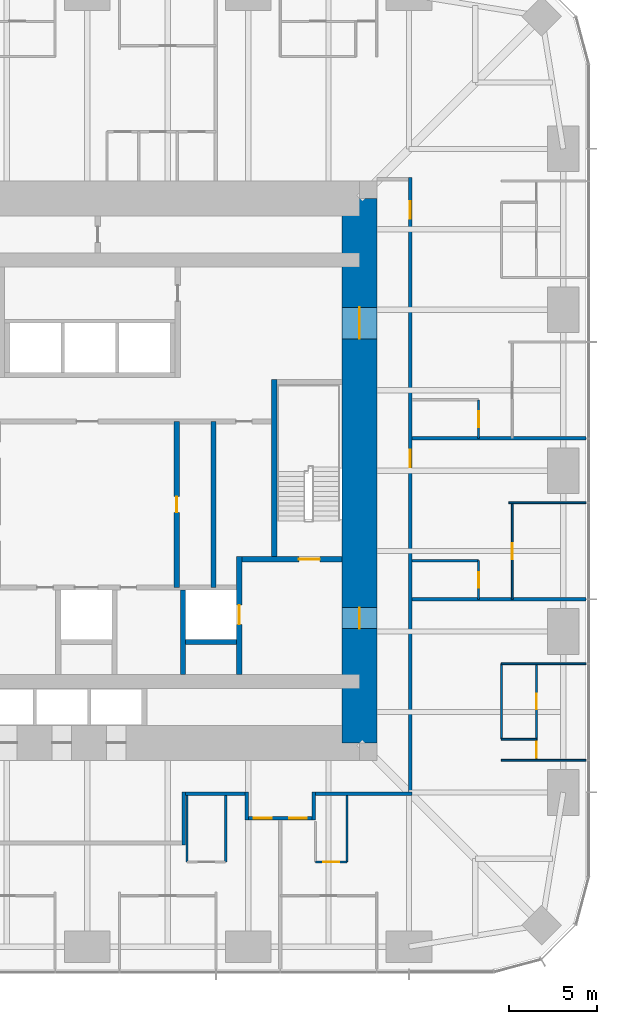
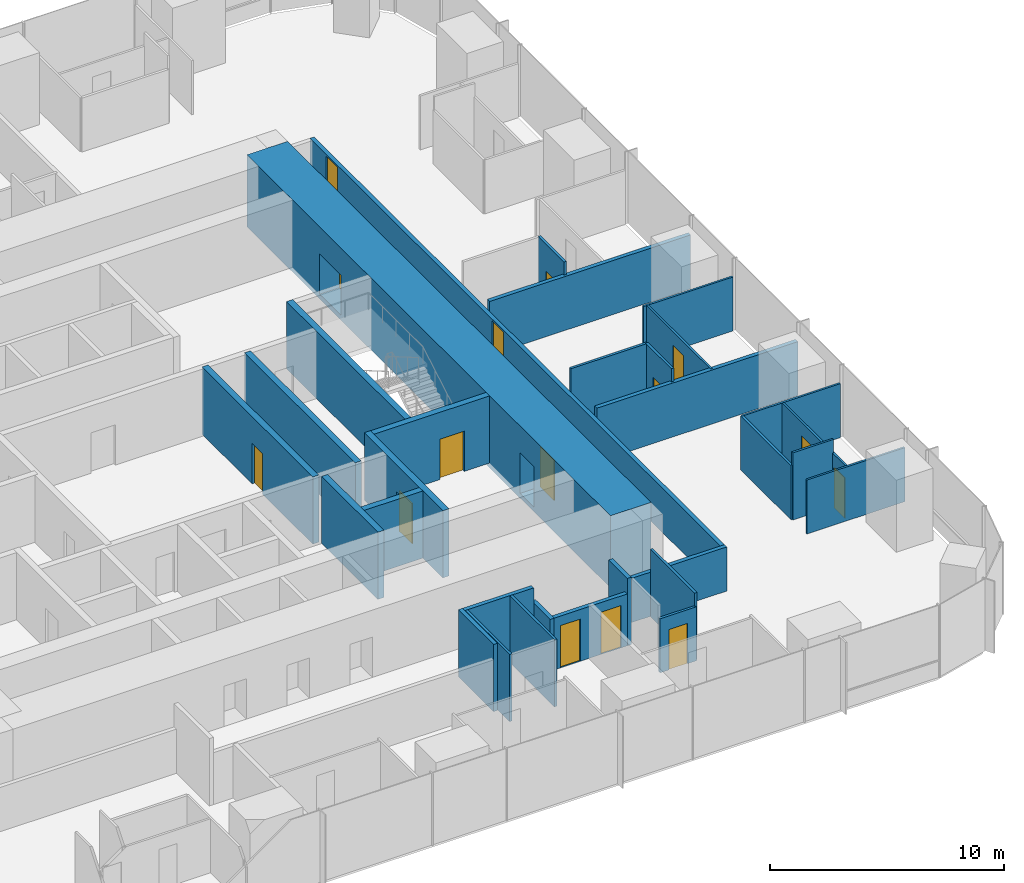
# One storey, part 10 of 13: 31 walls, 15 doors, 15 openings.
"""IFC4 building model written with IfcOpenShell, lengths in metres."""

from ifc_helpers import new_model, si_unit, direction, frame, frame_2d, origin, place, context, subcontext, project, spatial, rectangle, extrude, material, layer, layer_set, type_object, element, fill, save


model = new_model("IFC4")

# Units and contexts
model_context = context("Model", 3, precision=1e-05, world=origin(), true_north=direction((0.0, 1.0)))
body_context = subcontext(model_context, "Body", "Model", "MODEL_VIEW")
ifc_project = project(units=[si_unit("LENGTHUNIT", "METRE"), si_unit("AREAUNIT", "SQUARE_METRE"), si_unit("VOLUMEUNIT", "CUBIC_METRE"), si_unit("PLANEANGLEUNIT", "RADIAN"), si_unit("MASSUNIT", "GRAM", prefix="KILO")], contexts=[model_context])

# Site, building, storey
site_placement = place(None, origin())
site = spatial("IfcSite", under=ifc_project, at=site_placement, CompositionType="ELEMENT")
building_placement = place(site_placement, origin())
building = spatial("IfcBuilding", under=site, at=building_placement, Name="Khuree Lantern Residences", CompositionType="ELEMENT")
storey_placement = place(building_placement, frame((0.0, 0.0, 163.5)))
storey = spatial("IfcBuildingStorey", under=building, at=storey_placement, Name="L41", CompositionType="ELEMENT", Elevation=163.5)

# Wall, opening, door
ifc_material_1 = material(Name="Moisture-resistant gypsum board on steel studs", Category="steel")
ifc_layer_1 = layer(ifc_material_1, 0.125)
ifc_layer_set_1 = layer_set([ifc_layer_1], Name="BATHROOM WALL BTW125")
wall_type_1 = type_object("IfcWallType", Name="BATHROOM WALL BTW125", PredefinedType="PARTITIONING", material=ifc_layer_set_1)
wall_1_placement = place(storey_placement, frame((22.27978515625, -7.327880859375, 0.0), z_axis=(0.0, 0.0, 1.0), x_axis=(0.0, 1.0, 0.0)))
wall_1 = element("IfcWall", 1, at=wall_1_placement, inside=storey, type_object=wall_type_1, Name="L41 BATHROOM WALL 01", PredefinedType="PARTITIONING", context=body_context, shape_type="SweptSolid", body=[
    extrude(rectangle(XDim=2.199951171875, YDim=0.125, at=frame_2d((1.10009765625, 0.0))), origin(), (0.0, 0.0, 1.0), 3.5),
])
opening_1_placement = place(wall_1_placement, frame((0.64990234375, 0.0, 0.0)))
opening_1 = element("IfcOpeningElement", 2, at=opening_1_placement, cuts=wall_1, Name="Opening 41-025", PredefinedType="OPENING", context=body_context, shape_type="SweptSolid", body=[
    extrude(rectangle(XDim=0.89990234375, YDim=2.10009765625, at=frame_2d((0.449951171875, 1.050048828125))), frame((0.0, 0.072509765625, 0.0), z_axis=(0.0, -1.0, 0.0), x_axis=(1.0, 0.0, 0.0)), (0.0, 0.0, 1.0), 0.14501953125),
])
ifc_material_2 = material(Name="Timber door leaf in hardwood frame", Category="wood")
door_type_1 = type_object("IfcDoorType", Name="BATHROOM DOOR 900X2100", OperationType="SINGLE_SWING_LEFT", PredefinedType="DOOR", material=ifc_material_2)
door_1_placement = place(opening_1_placement, origin())
door_1 = element("IfcDoor", 3, at=door_1_placement, inside=storey, type_object=door_type_1, Name="Bathroom door 41-025", OperationType="SINGLE_SWING_LEFT", OverallHeight=2.10009765625, OverallWidth=0.89990234375, PredefinedType="DOOR", context=body_context, shape_type="SweptSolid", body=[
    extrude(rectangle(XDim=0.89990234375, YDim=2.10009765625, at=frame_2d((0.449951171875, 1.050048828125))), frame((0.0, 0.02490234375, 0.0), z_axis=(0.0, -1.0, 0.0), x_axis=(1.0, 0.0, 0.0)), (0.0, 0.0, 1.0), 0.050048828125),
])
fill(opening_1, door_1)

# Wall
wall_2_placement = place(storey_placement, frame((18.5, -5.1279296875, 0.0), z_axis=(0.0, 0.0, 1.0), x_axis=(1.0, 0.0, 0.0)))
element("IfcWall", 4, at=wall_2_placement, inside=storey, type_object=wall_type_1, Name="L41 BATHROOM WALL 01", PredefinedType="PARTITIONING", context=body_context, shape_type="SweptSolid", body=[
    extrude(rectangle(XDim=3.77978515625, YDim=0.125, at=frame_2d((1.889892578125, 0.0))), origin(), (0.0, 0.0, 1.0), 3.5),
])

# Wall, opening, door
wall_3_placement = place(storey_placement, frame((22.27978515625, 1.83203125, 0.0), z_axis=(0.0, 0.0, 1.0), x_axis=(0.0, 1.0, 0.0)))
wall_3 = element("IfcWall", 5, at=wall_3_placement, inside=storey, type_object=wall_type_1, Name="L41 BATHROOM WALL 02", PredefinedType="PARTITIONING", context=body_context, shape_type="SweptSolid", body=[
    extrude(rectangle(XDim=2.199951171875, YDim=0.125, at=frame_2d((1.10009765625, 0.0))), origin(), (0.0, 0.0, 1.0), 3.5),
])
opening_2_placement = place(wall_3_placement, frame((0.64990234375, 0.0, 0.0)))
opening_2 = element("IfcOpeningElement", 6, at=opening_2_placement, cuts=wall_3, Name="Opening 41-032", PredefinedType="OPENING", context=body_context, shape_type="SweptSolid", body=[
    extrude(rectangle(XDim=0.89990234375, YDim=2.10009765625, at=frame_2d((0.449951171875, 1.050048828125))), frame((0.0, 0.072509765625, 0.0), z_axis=(0.0, -1.0, 0.0), x_axis=(1.0, 0.0, 0.0)), (0.0, 0.0, 1.0), 0.14501953125),
])
door_2_placement = place(opening_2_placement, origin())
door_2 = element("IfcDoor", 7, at=door_2_placement, inside=storey, type_object=door_type_1, Name="Bathroom door 41-032", OperationType="SINGLE_SWING_LEFT", OverallHeight=2.10009765625, OverallWidth=0.89990234375, PredefinedType="DOOR", context=body_context, shape_type="SweptSolid", body=[
    extrude(rectangle(XDim=0.89990234375, YDim=2.10009765625, at=frame_2d((0.449951171875, 1.050048828125))), frame((0.0, 0.02490234375, 0.0), z_axis=(0.0, -1.0, 0.0), x_axis=(1.0, 0.0, 0.0)), (0.0, 0.0, 1.0), 0.050048828125),
])
fill(opening_2, door_2)

# Walls
for number, where, z_axis, x_axis, name in (
    (8, (5.68359375, -18.5, 0.0), (0.0, 0.0, 1.0), (0.0, -1.0, 0.0), "L41 BATHROOM WALL 07"),
    (9, (7.883544921875, -18.5, 0.0), (0.0, 0.0, 1.0), (0.0, -1.0, 0.0), "L41 BATHROOM WALL 07"),
):
    element("IfcWall", number, at=place(storey_placement, frame(where, z_axis=z_axis, x_axis=x_axis)), inside=storey, type_object=wall_type_1, Name=name, PredefinedType="PARTITIONING", context=body_context, shape_type="SweptSolid", body=[
        extrude(rectangle(XDim=3.77978515625, YDim=0.125, at=frame_2d((1.889892578125, 0.0))), origin(), (0.0, 0.0, 1.0), 3.5),
    ])
wall_4_placement = place(storey_placement, frame((23.579833984375, -15.2880859375, 0.0), z_axis=(0.0, 0.0, 1.0), x_axis=(0.0, 1.0, 0.0)))
element("IfcWall", 10, at=wall_4_placement, inside=storey, type_object=wall_type_1, Name="L41 BATHROOM WALL 08", PredefinedType="PARTITIONING", context=body_context, shape_type="SweptSolid", body=[
    extrude(rectangle(XDim=4.296142578125, YDim=0.125, at=frame_2d((2.14794921875, 0.0))), origin(), (0.0, 0.0, 1.0), 2.81005859375),
])

# Wall, opening, door
wall_5_placement = place(storey_placement, frame((12.991943359375, -22.27978515625, 0.0), z_axis=(0.0, 0.0, 1.0), x_axis=(1.0, 0.0, 0.0)))
wall_5 = element("IfcWall", 11, at=wall_5_placement, inside=storey, type_object=wall_type_1, Name="L41 BATHROOM WALL 08", PredefinedType="PARTITIONING", context=body_context, shape_type="SweptSolid", body=[
    extrude(rectangle(XDim=1.800048828125, YDim=0.125, at=frame_2d((0.89990234375, 0.0))), origin(), (0.0, 0.0, 1.0), 2.81005859375),
])
opening_3_placement = place(wall_5_placement, frame((0.449951171875, 0.0, 0.0)))
opening_3 = element("IfcOpeningElement", 12, at=opening_3_placement, cuts=wall_5, Name="Opening 41-061", PredefinedType="OPENING", context=body_context, shape_type="SweptSolid", body=[
    extrude(rectangle(XDim=0.89990234375, YDim=2.10009765625, at=frame_2d((0.449951171875, 1.050048828125))), frame((0.0, 0.072509765625, 0.0), z_axis=(0.0, -1.0, 0.0), x_axis=(1.0, 0.0, 0.0)), (0.0, 0.0, 1.0), 0.14501953125),
])
door_3_placement = place(opening_3_placement, origin())
door_3 = element("IfcDoor", 13, at=door_3_placement, inside=storey, type_object=door_type_1, Name="Bathroom door 41-061", OperationType="SINGLE_SWING_LEFT", OverallHeight=2.10009765625, OverallWidth=0.89990234375, PredefinedType="DOOR", context=body_context, shape_type="SweptSolid", body=[
    extrude(rectangle(XDim=0.89990234375, YDim=2.10009765625, at=frame_2d((0.449951171875, 1.050048828125))), frame((0.0, 0.02490234375, 0.0), z_axis=(0.0, -1.0, 0.0), x_axis=(1.0, 0.0, 0.0)), (0.0, 0.0, 1.0), 0.050048828125),
])
fill(opening_3, door_3)

# Wall
wall_6_placement = place(storey_placement, frame((14.7919921875, -18.5, 0.0), z_axis=(0.0, 0.0, 1.0), x_axis=(0.0, -1.0, 0.0)))
element("IfcWall", 14, at=wall_6_placement, inside=storey, type_object=wall_type_1, Name="L41 BATHROOM WALL 08", PredefinedType="PARTITIONING", context=body_context, shape_type="SweptSolid", body=[
    extrude(rectangle(XDim=3.77978515625, YDim=0.125, at=frame_2d((1.889892578125, 0.0))), origin(), (0.0, 0.0, 1.0), 3.5),
])

# Wall, opening, door
ifc_material_3 = material(Name="Dense concrete blockwork", Category="masonry")
ifc_layer_2 = layer(ifc_material_3, 0.300048828125)
ifc_layer_set_2 = layer_set([ifc_layer_2], Name="CORE PARTITION WALL CPW300 EI 120")
wall_type_2 = type_object("IfcWallType", Name="CORE PARTITION WALL CPW300 EI 120", PredefinedType="PARTITIONING", material=ifc_layer_set_2)
wall_7_placement = place(storey_placement, frame((8.64990234375, -11.60009765625, 0.0), z_axis=(0.0, 0.0, 1.0), x_axis=(0.0, 1.0, 0.0)))
wall_7 = element("IfcWall", 15, at=wall_7_placement, inside=storey, type_object=wall_type_2, Name="L41 CORE WALL FL2E", PredefinedType="PARTITIONING", context=body_context, shape_type="SweptSolid", body=[
    extrude(rectangle(XDim=6.7001953125, YDim=0.300048828125, at=frame_2d((3.35009765625, 0.0))), origin(), (0.0, 0.0, 1.0), 3.5),
])
opening_4_placement = place(wall_7_placement, frame((2.85009765625, 0.0, 0.0)))
opening_4 = element("IfcOpeningElement", 16, at=opening_4_placement, cuts=wall_7, Name="Opening 41-008", PredefinedType="OPENING", context=body_context, shape_type="SweptSolid", body=[
    extrude(rectangle(XDim=1.10009765625, YDim=2.10009765625, at=frame_2d((0.550048828125, 1.050048828125))), frame((0.0, 0.16015625, 0.0), z_axis=(0.0, -1.0, 0.0), x_axis=(1.0, 0.0, 0.0)), (0.0, 0.0, 1.0), 0.320068359375),
])
ifc_material_4 = material(Name="Stainless steel lift landing door", Category="steel")
door_type_2 = type_object("IfcDoorType", Name="LIFT LANDING DOOR 1100X2100 E 120", OperationType="DOUBLE_DOOR_SLIDING", PredefinedType="DOOR", material=ifc_material_4)
door_4_placement = place(opening_4_placement, origin())
door_4 = element("IfcDoor", 17, at=door_4_placement, inside=storey, type_object=door_type_2, Name="Landing door FL2 41-008", OperationType="DOUBLE_DOOR_SLIDING", OverallHeight=2.10009765625, OverallWidth=1.10009765625, PredefinedType="DOOR", context=body_context, shape_type="SweptSolid", body=[
    extrude(rectangle(XDim=1.10009765625, YDim=2.10009765625, at=frame_2d((0.550048828125, 1.050048828125))), frame((0.0, 0.02490234375, 0.0), z_axis=(0.0, -1.0, 0.0), x_axis=(1.0, 0.0, 0.0)), (0.0, 0.0, 1.0), 0.050048828125),
])
fill(opening_4, door_4)

# Walls
wall_8_placement = place(storey_placement, frame((5.449951171875, -11.60009765625, 0.0), z_axis=(0.0, 0.0, 1.0), x_axis=(0.0, 1.0, 0.0)))
element("IfcWall", 18, at=wall_8_placement, inside=storey, type_object=wall_type_2, Name="L41 CORE WALL FL2W", PredefinedType="PARTITIONING", context=body_context, shape_type="SweptSolid", body=[
    extrude(rectangle(XDim=4.800048828125, YDim=0.300048828125, at=frame_2d((2.39990234375, 0.0))), origin(), (0.0, 0.0, 1.0), 3.5),
])
wall_9_placement = place(storey_placement, frame((5.60009765625, -9.75, 0.0), z_axis=(0.0, 0.0, 1.0), x_axis=(1.0, 0.0, 0.0)))
element("IfcWall", 19, at=wall_9_placement, inside=storey, type_object=wall_type_2, Name="L41 CORE WALL FL2S", PredefinedType="PARTITIONING", context=body_context, shape_type="SweptSolid", body=[
    extrude(rectangle(XDim=2.89990234375, YDim=0.300048828125, at=frame_2d((1.449951171875, 0.0))), origin(), (0.0, 0.0, 1.0), 3.5),
])

# Wall, opening, door
wall_10_placement = place(storey_placement, frame((5.10009765625, -6.64990234375, 0.0), z_axis=(0.0, 0.0, 1.0), x_axis=(0.0, 1.0, 0.0)))
wall_10 = element("IfcWall", 20, at=wall_10_placement, inside=storey, type_object=wall_type_2, Name="L41 CORE WALL SVE", PredefinedType="PARTITIONING", context=body_context, shape_type="SweptSolid", body=[
    extrude(rectangle(XDim=9.449951171875, YDim=0.300048828125, at=frame_2d((4.72509765625, 0.0))), origin(), (0.0, 0.0, 1.0), 3.5),
])
opening_5_placement = place(wall_10_placement, frame((4.27490234375, 0.0, 0.0)))
opening_5 = element("IfcOpeningElement", 21, at=opening_5_placement, cuts=wall_10, Name="Opening 41-018", PredefinedType="OPENING", context=body_context, shape_type="SweptSolid", body=[
    extrude(rectangle(XDim=0.89990234375, YDim=2.10009765625, at=frame_2d((0.449951171875, 1.050048828125))), frame((0.0, 0.16015625, 0.0), z_axis=(0.0, -1.0, 0.0), x_axis=(1.0, 0.0, 0.0)), (0.0, 0.0, 1.0), 0.320068359375),
])
door_type_3 = type_object("IfcDoorType", Name="DOOR 900X2100", OperationType="SINGLE_SWING_LEFT", PredefinedType="DOOR", material=ifc_material_2)
door_5_placement = place(opening_5_placement, origin())
door_5 = element("IfcDoor", 22, at=door_5_placement, inside=storey, type_object=door_type_3, Name="Bulky waste store door 41-018", OperationType="SINGLE_SWING_LEFT", OverallHeight=2.10009765625, OverallWidth=0.89990234375, PredefinedType="DOOR", context=body_context, shape_type="SweptSolid", body=[
    extrude(rectangle(XDim=0.89990234375, YDim=2.10009765625, at=frame_2d((0.449951171875, 1.050048828125))), frame((0.0, 0.02490234375, 0.0), z_axis=(0.0, -1.0, 0.0), x_axis=(1.0, 0.0, 0.0)), (0.0, 0.0, 1.0), 0.050048828125),
])
fill(opening_5, door_5)

# Wall
wall_11_placement = place(storey_placement, frame((7.193115234375, -6.64990234375, 0.0), z_axis=(0.0, 0.0, 1.0), x_axis=(0.0, 1.0, 0.0)))
element("IfcWall", 23, at=wall_11_placement, inside=storey, type_object=wall_type_2, Name="L41 CORE WALL EV", PredefinedType="PARTITIONING", context=body_context, shape_type="SweptSolid", body=[
    extrude(rectangle(XDim=9.449951171875, YDim=0.300048828125, at=frame_2d((4.72509765625, 0.0))), origin(), (0.0, 0.0, 1.0), 3.5),
])

# Wall, openings, doors
ifc_material_5 = material(Name="Gypsum board on steel studs", Category="steel")
ifc_layer_3 = layer(ifc_material_5, 0.199951171875)
ifc_layer_set_3 = layer_set([ifc_layer_3], Name="CORRIDOR WALL CRW200 EI 60")
wall_type_3 = type_object("IfcWallType", Name="CORRIDOR WALL CRW200 EI 60", PredefinedType="PARTITIONING", material=ifc_layer_set_3)
wall_12_placement = place(storey_placement, frame((18.39990234375, -18.300048828125, 0.0), z_axis=(0.0, 0.0, 1.0), x_axis=(0.0, 1.0, 0.0)))
wall_12 = element("IfcWall", 24, at=wall_12_placement, inside=storey, type_object=wall_type_3, Name="L41 CORRIDOR WALL EAST 1", PredefinedType="PARTITIONING", context=body_context, shape_type="SweptSolid", body=[
    extrude(rectangle(XDim=35.0, YDim=0.199951171875, at=frame_2d((17.5, 0.0))), origin(), (0.0, 0.0, 1.0), 2.300048828125),
])
opening_6_placement = place(wall_12_placement, frame((18.491943359375, 0.0, 0.0)))
opening_6 = element("IfcOpeningElement", 25, at=opening_6_placement, cuts=wall_12, Name="Opening 41-026", PredefinedType="OPENING", context=body_context, shape_type="SweptSolid", body=[
    extrude(rectangle(XDim=1.0, YDim=2.199951171875, at=frame_2d((0.5, 1.10009765625))), frame((0.0, 0.10986328125, 0.0), z_axis=(0.0, -1.0, 0.0), x_axis=(1.0, 0.0, 0.0)), (0.0, 0.0, 1.0), 0.219970703125),
])
opening_7_placement = place(wall_12_placement, frame((32.652099609375, 0.0, 0.0)))
opening_7 = element("IfcOpeningElement", 26, at=opening_7_placement, cuts=wall_12, Name="Opening 41-033", PredefinedType="OPENING", context=body_context, shape_type="SweptSolid", body=[
    extrude(rectangle(XDim=1.0, YDim=2.199951171875, at=frame_2d((0.5, 1.10009765625))), frame((0.0, 0.10986328125, 0.0), z_axis=(0.0, -1.0, 0.0), x_axis=(1.0, 0.0, 0.0)), (0.0, 0.0, 1.0), 0.219970703125),
])
door_type_4 = type_object("IfcDoorType", Name="APARTMENT ENTRANCE DOOR 1000X2200 EI 30S", OperationType="SINGLE_SWING_LEFT", PredefinedType="DOOR", material=ifc_material_2)
door_6_placement = place(opening_6_placement, origin())
door_6 = element("IfcDoor", 27, at=door_6_placement, inside=storey, type_object=door_type_4, Name="Apartment 01 entrance door 41-026", OperationType="SINGLE_SWING_LEFT", OverallHeight=2.199951171875, OverallWidth=1.0, PredefinedType="DOOR", context=body_context, shape_type="SweptSolid", body=[
    extrude(rectangle(XDim=1.0, YDim=2.199951171875, at=frame_2d((0.5, 1.10009765625))), frame((0.0, 0.02490234375, 0.0), z_axis=(0.0, -1.0, 0.0), x_axis=(1.0, 0.0, 0.0)), (0.0, 0.0, 1.0), 0.050048828125),
])
fill(opening_6, door_6)
door_type_5 = type_object("IfcDoorType", Name="APARTMENT ENTRANCE DOOR 1000X2200 EI 30S RIGHT HAND", OperationType="SINGLE_SWING_RIGHT", PredefinedType="DOOR", material=ifc_material_2)
door_7_placement = place(opening_7_placement, origin())
door_7 = element("IfcDoor", 28, at=door_7_placement, inside=storey, type_object=door_type_5, Name="Apartment 02 entrance door 41-033", OperationType="SINGLE_SWING_RIGHT", OverallHeight=2.199951171875, OverallWidth=1.0, PredefinedType="DOOR", context=body_context, shape_type="SweptSolid", body=[
    extrude(rectangle(XDim=1.0, YDim=2.199951171875, at=frame_2d((0.5, 1.10009765625))), frame((0.0, 0.02490234375, 0.0), z_axis=(0.0, -1.0, 0.0), x_axis=(1.0, 0.0, 0.0)), (0.0, 0.0, 1.0), 0.050048828125),
])
fill(opening_7, door_7)

# Walls
wall_13_placement = place(storey_placement, frame((18.5, -18.39990234375, 0.0), z_axis=(0.0, 0.0, 1.0), x_axis=(-1.0, 0.0, 0.0)))
element("IfcWall", 29, at=wall_13_placement, inside=storey, type_object=wall_type_3, Name="L41 CORRIDOR WALL SOUTH 1", PredefinedType="PARTITIONING", context=body_context, shape_type="SweptSolid", body=[
    extrude(rectangle(XDim=5.508056640625, YDim=0.199951171875, at=frame_2d((2.75390625, 0.0))), origin(), (0.0, 0.0, 1.0), 2.300048828125),
])
wall_14_placement = place(storey_placement, frame((12.89208984375, -18.300048828125, 0.0), z_axis=(0.0, 0.0, 1.0), x_axis=(0.0, -1.0, 0.0)))
element("IfcWall", 30, at=wall_14_placement, inside=storey, type_object=wall_type_3, Name="L41 CORRIDOR ALCOVE WALL SOUTH", PredefinedType="PARTITIONING", context=body_context, shape_type="SweptSolid", body=[
    extrude(rectangle(XDim=1.599853515625, YDim=0.199951171875, at=frame_2d((0.7998046875, 0.0))), origin(), (0.0, 0.0, 1.0), 3.5),
])
wall_15_placement = place(storey_placement, frame((9.092041015625, -18.300048828125, 0.0), z_axis=(0.0, 0.0, 1.0), x_axis=(0.0, -1.0, 0.0)))
element("IfcWall", 31, at=wall_15_placement, inside=storey, type_object=wall_type_3, Name="L41 CORRIDOR ALCOVE WALL SOUTH", PredefinedType="PARTITIONING", context=body_context, shape_type="SweptSolid", body=[
    extrude(rectangle(XDim=1.599853515625, YDim=0.199951171875, at=frame_2d((0.7998046875, 0.0))), origin(), (0.0, 0.0, 1.0), 2.699951171875),
])

# Wall, openings, doors
wall_16_placement = place(storey_placement, frame((12.7919921875, -19.800048828125, 0.0), z_axis=(0.0, 0.0, 1.0), x_axis=(-1.0, 0.0, 0.0)))
wall_16 = element("IfcWall", 32, at=wall_16_placement, inside=storey, type_object=wall_type_3, Name="L41 CORRIDOR ALCOVE WALL SOUTH", PredefinedType="PARTITIONING", context=body_context, shape_type="SweptSolid", body=[
    extrude(rectangle(XDim=3.60009765625, YDim=0.199951171875, at=frame_2d((1.800048828125, 0.0))), origin(), (0.0, 0.0, 1.0), 2.699951171875),
])
opening_8_placement = place(wall_16_placement, frame((2.300048828125, 0.0, 0.0)))
opening_8 = element("IfcOpeningElement", 33, at=opening_8_placement, cuts=wall_16, Name="Opening 41-057", PredefinedType="OPENING", context=body_context, shape_type="SweptSolid", body=[
    extrude(rectangle(XDim=1.0, YDim=2.199951171875, at=frame_2d((0.5, 1.10009765625))), frame((0.0, 0.10986328125, 0.0), z_axis=(0.0, -1.0, 0.0), x_axis=(1.0, 0.0, 0.0)), (0.0, 0.0, 1.0), 0.219970703125),
])
opening_9_placement = place(wall_16_placement, frame((0.300048828125, 0.0, 0.0)))
opening_9 = element("IfcOpeningElement", 34, at=opening_9_placement, cuts=wall_16, Name="Opening 41-062", PredefinedType="OPENING", context=body_context, shape_type="SweptSolid", body=[
    extrude(rectangle(XDim=1.0, YDim=2.199951171875, at=frame_2d((0.5, 1.10009765625))), frame((0.0, 0.10986328125, 0.0), z_axis=(0.0, -1.0, 0.0), x_axis=(1.0, 0.0, 0.0)), (0.0, 0.0, 1.0), 0.219970703125),
])
door_8_placement = place(opening_8_placement, origin())
door_8 = element("IfcDoor", 35, at=door_8_placement, inside=storey, type_object=door_type_4, Name="Apartment 07 entrance door 41-057", OperationType="SINGLE_SWING_LEFT", OverallHeight=2.199951171875, OverallWidth=1.0, PredefinedType="DOOR", context=body_context, shape_type="SweptSolid", body=[
    extrude(rectangle(XDim=1.0, YDim=2.199951171875, at=frame_2d((0.5, 1.10009765625))), frame((0.0, 0.02490234375, 0.0), z_axis=(0.0, -1.0, 0.0), x_axis=(1.0, 0.0, 0.0)), (0.0, 0.0, 1.0), 0.050048828125),
])
fill(opening_8, door_8)
door_9_placement = place(opening_9_placement, origin())
door_9 = element("IfcDoor", 36, at=door_9_placement, inside=storey, type_object=door_type_4, Name="Apartment 08 entrance door 41-062", OperationType="SINGLE_SWING_LEFT", OverallHeight=2.199951171875, OverallWidth=1.0, PredefinedType="DOOR", context=body_context, shape_type="SweptSolid", body=[
    extrude(rectangle(XDim=1.0, YDim=2.199951171875, at=frame_2d((0.5, 1.10009765625))), frame((0.0, 0.02490234375, 0.0), z_axis=(0.0, -1.0, 0.0), x_axis=(1.0, 0.0, 0.0)), (0.0, 0.0, 1.0), 0.050048828125),
])
fill(opening_9, door_9)

# Walls
wall_17_placement = place(storey_placement, frame((8.991943359375, -18.39990234375, 0.0), z_axis=(0.0, 0.0, 1.0), x_axis=(-1.0, 0.0, 0.0)))
element("IfcWall", 37, at=wall_17_placement, inside=storey, type_object=wall_type_3, Name="L41 CORRIDOR WALL SOUTH 2", PredefinedType="PARTITIONING", context=body_context, shape_type="SweptSolid", body=[
    extrude(rectangle(XDim=3.391845703125, YDim=0.199951171875, at=frame_2d((1.69580078125, 0.0))), origin(), (0.0, 0.0, 1.0), 3.5),
])
wall_18_placement = place(storey_placement, frame((5.5, -18.300048828125, 0.0), z_axis=(0.0, 0.0, 1.0), x_axis=(0.0, -1.0, 0.0)))
element("IfcWall", 38, at=wall_18_placement, inside=storey, type_object=wall_type_3, Name="L41 LIFT LOBBY WALL", PredefinedType="PARTITIONING", context=body_context, shape_type="SweptSolid", body=[
    extrude(rectangle(XDim=3.0, YDim=0.199951171875, at=frame_2d((1.5, 0.0))), origin(), (0.0, 0.0, 1.0), 3.5),
])

# Wall, openings, doors
ifc_material_6 = material(Name="Concrete C70/85", Category="concrete")
ifc_layer_4 = layer(ifc_material_6, 2.0)
ifc_layer_set_4 = layer_set([ifc_layer_4], Name="CW2000-C70 CORE WALL C70 2000")
wall_type_4 = type_object("IfcWallType", Name="CW2000-C70 CORE WALL C70 2000", PredefinedType="SHEAR", material=ifc_layer_set_4)
wall_19_placement = place(storey_placement, frame((15.5, -15.5, -0.25), z_axis=(0.0, 0.0, 1.0), x_axis=(0.0, 1.0, 0.0)))
wall_19 = element("IfcWall", 39, at=wall_19_placement, inside=storey, type_object=wall_type_4, Name="Core wall E", PredefinedType="SHEAR", context=body_context, shape_type="SweptSolid", body=[
    extrude(rectangle(XDim=31.0, YDim=2.0, at=frame_2d((15.5, 0.0))), origin(), (0.0, 0.0, 1.0), 3.75),
])
opening_10_placement = place(wall_19_placement, frame((6.5, 0.0, 0.25)))
opening_10 = element("IfcOpeningElement", 40, at=opening_10_placement, cuts=wall_19, Name="Opening 41-005", PredefinedType="OPENING", context=body_context, shape_type="SweptSolid", body=[
    extrude(rectangle(XDim=1.199951171875, YDim=2.10009765625, at=frame_2d((0.60009765625, 1.050048828125))), frame((0.0, 1.010009765625, 0.0), z_axis=(0.0, -1.0, 0.0), x_axis=(1.0, 0.0, 0.0)), (0.0, 0.0, 1.0), 2.02001953125),
])
opening_11_placement = place(wall_19_placement, frame((23.0, 0.0, 0.25)))
opening_11 = element("IfcOpeningElement", 41, at=opening_11_placement, cuts=wall_19, Name="Opening 41-006", PredefinedType="OPENING", context=body_context, shape_type="SweptSolid", body=[
    extrude(rectangle(XDim=1.800048828125, YDim=2.10009765625, at=frame_2d((0.89990234375, 1.050048828125))), frame((0.0, 1.010009765625, 0.0), z_axis=(0.0, -1.0, 0.0), x_axis=(1.0, 0.0, 0.0)), (0.0, 0.0, 1.0), 2.02001953125),
])
ifc_material_7 = material(Name="Steel door leaf in steel frame", Category="steel")
door_type_6 = type_object("IfcDoorType", Name="LOBBY DOOR 1200X2100 EI 120", OperationType="SINGLE_SWING_LEFT", PredefinedType="DOOR", material=ifc_material_7)
door_10_placement = place(opening_10_placement, origin())
door_10 = element("IfcDoor", 42, at=door_10_placement, inside=storey, type_object=door_type_6, Name="Firefighting lobby door 41-005", OperationType="SINGLE_SWING_LEFT", OverallHeight=2.10009765625, OverallWidth=1.199951171875, PredefinedType="DOOR", context=body_context, shape_type="SweptSolid", body=[
    extrude(rectangle(XDim=1.199951171875, YDim=2.10009765625, at=frame_2d((0.60009765625, 1.050048828125))), frame((0.0, 0.02490234375, 0.0), z_axis=(0.0, -1.0, 0.0), x_axis=(1.0, 0.0, 0.0)), (0.0, 0.0, 1.0), 0.050048828125),
])
fill(opening_10, door_10)
door_type_7 = type_object("IfcDoorType", Name="LOBBY DOUBLE DOOR 1800X2100 EI 60", OperationType="DOUBLE_DOOR_SINGLE_SWING", PredefinedType="DOOR", material=ifc_material_7)
door_11_placement = place(opening_11_placement, origin())
door_11 = element("IfcDoor", 43, at=door_11_placement, inside=storey, type_object=door_type_7, Name="Lift lobby door 41-006", OperationType="DOUBLE_DOOR_SINGLE_SWING", OverallHeight=2.10009765625, OverallWidth=1.800048828125, PredefinedType="DOOR", context=body_context, shape_type="SweptSolid", body=[
    extrude(rectangle(XDim=1.800048828125, YDim=2.10009765625, at=frame_2d((0.89990234375, 1.050048828125))), frame((0.0, 0.02490234375, 0.0), z_axis=(0.0, -1.0, 0.0), x_axis=(1.0, 0.0, 0.0)), (0.0, 0.0, 1.0), 0.050048828125),
])
fill(opening_11, door_11)

# Walls
ifc_layer_5 = layer(ifc_material_5, 0.199951171875)
ifc_layer_set_5 = layer_set([ifc_layer_5], Name="DEMISING WALL DMW200 EI 90")
wall_type_5 = type_object("IfcWallType", Name="DEMISING WALL DMW200 EI 90", PredefinedType="PARTITIONING", material=ifc_layer_set_5)
for number, where, z_axis, x_axis, name in (
    (44, (18.5, -7.327880859375, 0.0), (0.0, 0.0, 1.0), (1.0, 0.0, 0.0), "L41 DEMISING WALL 01"),
    (45, (18.5, 1.83203125, 0.0), (0.0, 0.0, 1.0), (1.0, 0.0, 0.0), "L41 DEMISING WALL 02"),
):
    element("IfcWall", number, at=place(storey_placement, frame(where, z_axis=z_axis, x_axis=x_axis)), inside=storey, type_object=wall_type_5, Name=name, PredefinedType="PARTITIONING", context=body_context, shape_type="SweptSolid", body=[
        extrude(rectangle(XDim=9.89990234375, YDim=0.199951171875, at=frame_2d((4.949951171875, 0.0))), origin(), (0.0, 0.0, 1.0), 2.81005859375),
    ])
ifc_layer_6 = layer(ifc_material_5, 0.10009765625)
ifc_layer_set_6 = layer_set([ifc_layer_6], Name="PARTITION PT100")
wall_type_6 = type_object("IfcWallType", Name="PARTITION PT100", PredefinedType="PARTITIONING", material=ifc_layer_set_6)
wall_20_placement = place(storey_placement, frame((24.0, -1.83203125, 0.0), z_axis=(0.0, 0.0, 1.0), x_axis=(1.0, 0.0, 0.0)))
element("IfcWall", 46, at=wall_20_placement, inside=storey, type_object=wall_type_6, Name="L41 PARTITION 01", PredefinedType="PARTITIONING", context=body_context, shape_type="SweptSolid", body=[
    extrude(rectangle(XDim=4.39990234375, YDim=0.10009765625, at=frame_2d((2.199951171875, 0.0))), origin(), (0.0, 0.0, 1.0), 2.81005859375),
])
for number, where, z_axis, x_axis, name in (
    (47, (23.579833984375, -16.488037109375, 0.0), (0.0, 0.0, 1.0), (1.0, 0.0, 0.0), "L41 PARTITION 08"),
    (48, (23.579833984375, -10.991943359375, 0.0), (0.0, 0.0, 1.0), (1.0, 0.0, 0.0), "L41 PARTITION 08"),
):
    element("IfcWall", number, at=place(storey_placement, frame(where, z_axis=z_axis, x_axis=x_axis)), inside=storey, type_object=wall_type_6, Name=name, PredefinedType="PARTITIONING", context=body_context, shape_type="SweptSolid", body=[
        extrude(rectangle(XDim=4.820068359375, YDim=0.10009765625, at=frame_2d((2.41015625, 0.0))), origin(), (0.0, 0.0, 1.0), 2.81005859375),
    ])

# Wall, opening, door
wall_21_placement = place(storey_placement, frame((24.199951171875, -7.327880859375, 0.0), z_axis=(0.0, 0.0, 1.0), x_axis=(0.0, 1.0, 0.0)))
wall_21 = element("IfcWall", 49, at=wall_21_placement, inside=storey, type_object=wall_type_6, Name="L41 PARTITION 01", PredefinedType="PARTITIONING", context=body_context, shape_type="SweptSolid", body=[
    extrude(rectangle(XDim=5.495849609375, YDim=0.10009765625, at=frame_2d((2.748046875, 0.0))), origin(), (0.0, 0.0, 1.0), 2.81005859375),
])
opening_12_placement = place(wall_21_placement, frame((2.298095703125, 0.0, 0.0)))
opening_12 = element("IfcOpeningElement", 50, at=opening_12_placement, cuts=wall_21, Name="Opening 41-024", PredefinedType="OPENING", context=body_context, shape_type="SweptSolid", body=[
    extrude(rectangle(XDim=0.89990234375, YDim=2.10009765625, at=frame_2d((0.449951171875, 1.050048828125))), frame((0.0, 0.06005859375, 0.0), z_axis=(0.0, -1.0, 0.0), x_axis=(1.0, 0.0, 0.0)), (0.0, 0.0, 1.0), 0.1201171875),
])
door_type_8 = type_object("IfcDoorType", Name="BEDROOM DOOR 900X2100", OperationType="SINGLE_SWING_LEFT", PredefinedType="DOOR", material=ifc_material_2)
door_12_placement = place(opening_12_placement, origin())
door_12 = element("IfcDoor", 51, at=door_12_placement, inside=storey, type_object=door_type_8, Name="Bedroom door 41-024", OperationType="SINGLE_SWING_LEFT", OverallHeight=2.10009765625, OverallWidth=0.89990234375, PredefinedType="DOOR", context=body_context, shape_type="SweptSolid", body=[
    extrude(rectangle(XDim=0.89990234375, YDim=2.10009765625, at=frame_2d((0.449951171875, 1.050048828125))), frame((0.0, 0.02490234375, 0.0), z_axis=(0.0, -1.0, 0.0), x_axis=(1.0, 0.0, 0.0)), (0.0, 0.0, 1.0), 0.050048828125),
])
fill(opening_12, door_12)

# Wall, openings, doors
wall_22_placement = place(storey_placement, frame((25.579833984375, -16.488037109375, 0.0), z_axis=(0.0, 0.0, 1.0), x_axis=(0.0, 1.0, 0.0)))
wall_22 = element("IfcWall", 52, at=wall_22_placement, inside=storey, type_object=wall_type_6, Name="L41 PARTITION 08", PredefinedType="PARTITIONING", context=body_context, shape_type="SweptSolid", body=[
    extrude(rectangle(XDim=5.49609375, YDim=0.10009765625, at=frame_2d((2.748046875, 0.0))), origin(), (0.0, 0.0, 1.0), 2.81005859375),
])
opening_13_placement = place(wall_22_placement, frame((0.14990234375, 0.0, 0.0)))
opening_13 = element("IfcOpeningElement", 53, at=opening_13_placement, cuts=wall_22, Name="Opening 41-059", PredefinedType="OPENING", context=body_context, shape_type="SweptSolid", body=[
    extrude(rectangle(XDim=0.89990234375, YDim=2.10009765625, at=frame_2d((0.449951171875, 1.050048828125))), frame((0.0, 0.06005859375, 0.0), z_axis=(0.0, -1.0, 0.0), x_axis=(1.0, 0.0, 0.0)), (0.0, 0.0, 1.0), 0.1201171875),
])
opening_14_placement = place(wall_22_placement, frame((2.89794921875, 0.0, 0.0)))
opening_14 = element("IfcOpeningElement", 54, at=opening_14_placement, cuts=wall_22, Name="Opening 41-060", PredefinedType="OPENING", context=body_context, shape_type="SweptSolid", body=[
    extrude(rectangle(XDim=0.89990234375, YDim=2.10009765625, at=frame_2d((0.449951171875, 1.050048828125))), frame((0.0, 0.06005859375, 0.0), z_axis=(0.0, -1.0, 0.0), x_axis=(1.0, 0.0, 0.0)), (0.0, 0.0, 1.0), 0.1201171875),
])
door_13_placement = place(opening_14_placement, origin())
door_13 = element("IfcDoor", 55, at=door_13_placement, inside=storey, type_object=door_type_1, Name="Bathroom door 41-060", OperationType="SINGLE_SWING_LEFT", OverallHeight=2.10009765625, OverallWidth=0.89990234375, PredefinedType="DOOR", context=body_context, shape_type="SweptSolid", body=[
    extrude(rectangle(XDim=0.89990234375, YDim=2.10009765625, at=frame_2d((0.449951171875, 1.050048828125))), frame((0.0, 0.02490234375, 0.0), z_axis=(0.0, -1.0, 0.0), x_axis=(1.0, 0.0, 0.0)), (0.0, 0.0, 1.0), 0.050048828125),
])
fill(opening_14, door_13)
door_14_placement = place(opening_13_placement, origin())
door_14 = element("IfcDoor", 56, at=door_14_placement, inside=storey, type_object=door_type_8, Name="Bedroom door 41-059", OperationType="SINGLE_SWING_LEFT", OverallHeight=2.10009765625, OverallWidth=0.89990234375, PredefinedType="DOOR", context=body_context, shape_type="SweptSolid", body=[
    extrude(rectangle(XDim=0.89990234375, YDim=2.10009765625, at=frame_2d((0.449951171875, 1.050048828125))), frame((0.0, 0.02490234375, 0.0), z_axis=(0.0, -1.0, 0.0), x_axis=(1.0, 0.0, 0.0)), (0.0, 0.0, 1.0), 0.050048828125),
])
fill(opening_13, door_14)

# Walls
wall_23_placement = place(storey_placement, frame((23.579833984375, -15.2880859375, 0.0), z_axis=(0.0, 0.0, 1.0), x_axis=(1.0, 0.0, 0.0)))
element("IfcWall", 57, at=wall_23_placement, inside=storey, type_object=wall_type_6, Name="L41 PARTITION 08", PredefinedType="PARTITIONING", context=body_context, shape_type="SweptSolid", body=[
    extrude(rectangle(XDim=2.0, YDim=0.10009765625, at=frame_2d((1.0, 0.0))), origin(), (0.0, 0.0, 1.0), 3.5),
])
ifc_material_8 = material(Name="Concrete C50/60", Category="concrete")
ifc_layer_7 = layer(ifc_material_8, 0.300048828125)
ifc_layer_set_7 = layer_set([ifc_layer_7], Name="STAIR WALL SRW300 C50/60 REI 240")
wall_type_7 = type_object("IfcWallType", Name="STAIR WALL SRW300 C50/60 REI 240", PredefinedType="SOLIDWALL", material=ifc_layer_set_7)
wall_24_placement = place(storey_placement, frame((10.64990234375, -4.89990234375, 0.0), z_axis=(0.0, 0.0, 1.0), x_axis=(0.0, 1.0, 0.0)))
element("IfcWall", 58, at=wall_24_placement, inside=storey, type_object=wall_type_7, Name="L41 STAIR WALL ST2E", PredefinedType="SOLIDWALL", context=body_context, shape_type="SweptSolid", body=[
    extrude(rectangle(XDim=10.099853515625, YDim=0.300048828125, at=frame_2d((5.0498046875, 0.0))), origin(), (0.0, 0.0, 1.0), 3.5),
])

# Wall, opening, door
wall_25_placement = place(storey_placement, frame((14.5, -5.050048828125, 0.0), z_axis=(0.0, 0.0, 1.0), x_axis=(-1.0, 0.0, 0.0)))
wall_25 = element("IfcWall", 59, at=wall_25_placement, inside=storey, type_object=wall_type_7, Name="L41 STAIR WALL ST2S", PredefinedType="SOLIDWALL", context=body_context, shape_type="SweptSolid", body=[
    extrude(rectangle(XDim=5.699951171875, YDim=0.300048828125, at=frame_2d((2.85009765625, 0.0))), origin(), (0.0, 0.0, 1.0), 3.5),
])
opening_15_placement = place(wall_25_placement, frame((1.25, 0.0, 0.0)))
opening_15 = element("IfcOpeningElement", 60, at=opening_15_placement, cuts=wall_25, Name="Opening 41-004", PredefinedType="OPENING", context=body_context, shape_type="SweptSolid", body=[
    extrude(rectangle(XDim=1.199951171875, YDim=2.10009765625, at=frame_2d((0.60009765625, 1.050048828125))), frame((0.0, 0.16015625, 0.0), z_axis=(0.0, -1.0, 0.0), x_axis=(1.0, 0.0, 0.0)), (0.0, 0.0, 1.0), 0.320068359375),
])
door_type_9 = type_object("IfcDoorType", Name="STAIR DOOR 1200X2100 EI 120", OperationType="SINGLE_SWING_LEFT", PredefinedType="DOOR", material=ifc_material_7)
door_15_placement = place(opening_15_placement, origin())
door_15 = element("IfcDoor", 61, at=door_15_placement, inside=storey, type_object=door_type_9, Name="Stair ST2 door 41-004", OperationType="SINGLE_SWING_LEFT", OverallHeight=2.10009765625, OverallWidth=1.199951171875, PredefinedType="DOOR", context=body_context, shape_type="SweptSolid", body=[
    extrude(rectangle(XDim=1.199951171875, YDim=2.10009765625, at=frame_2d((0.60009765625, 1.050048828125))), frame((0.0, 0.02490234375, 0.0), z_axis=(0.0, -1.0, 0.0), x_axis=(1.0, 0.0, 0.0)), (0.0, 0.0, 1.0), 0.050048828125),
])
fill(opening_15, door_15)

save(model, "model.ifc")
